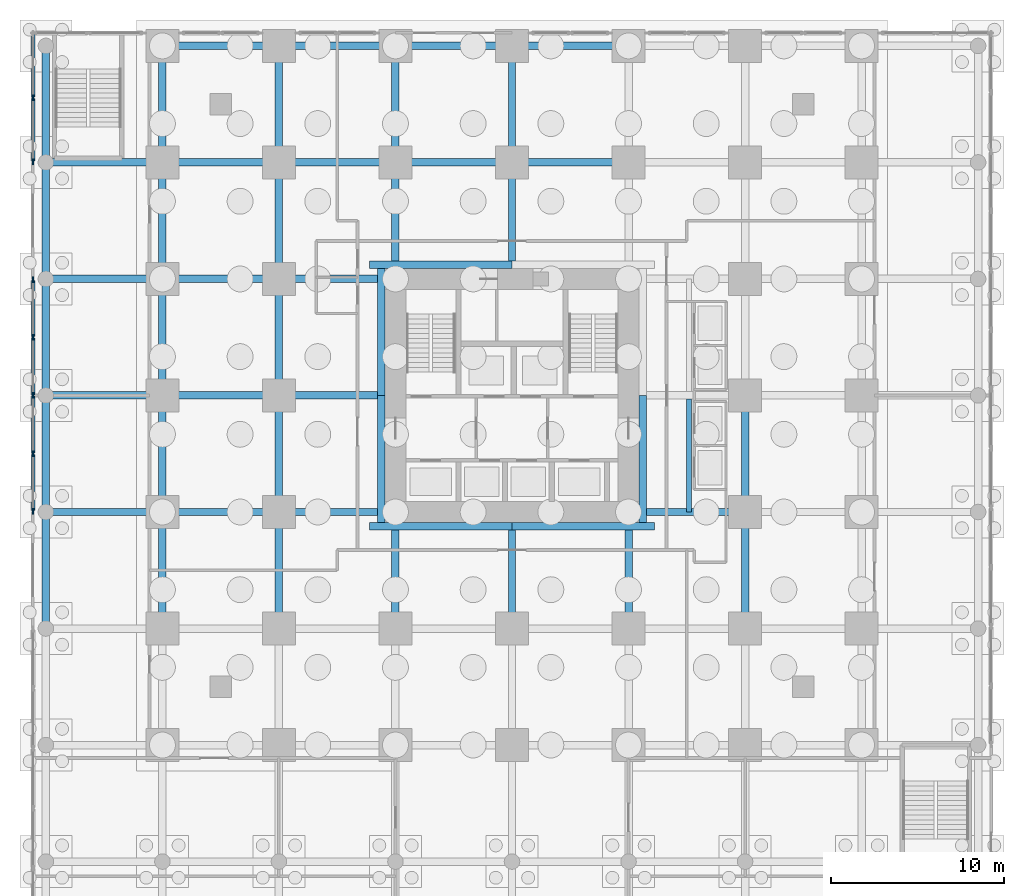
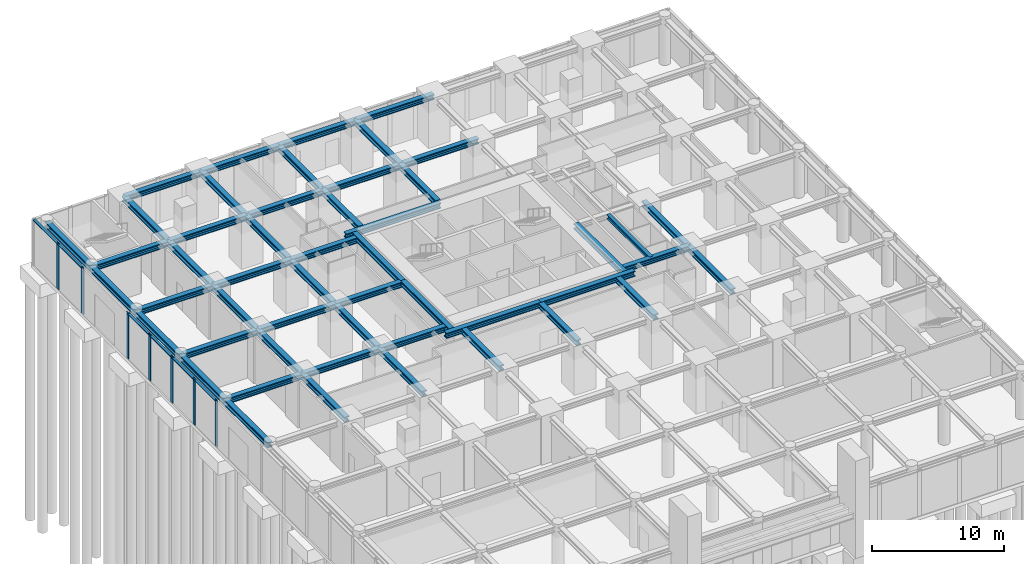
# One storey, part 5 of 14: 50 beams, 13 members, 2 elements without a shape of their own.
"""IFC4 building model written with IfcOpenShell, lengths in metres."""

from ifc_helpers import new_model, si_unit, direction, frame, origin, origin_2d, place, context, subcontext, project, spatial, rectangle, i_section, extrude, material, material_profile, profile_set, type_object, element, aggregate, save


model = new_model("IFC4")

# Units and contexts
model_context = context("Model", 3, precision=1e-05, world=origin(), true_north=direction((0.0, 1.0)))
body_context = subcontext(model_context, "Body", "Model", "MODEL_VIEW")
ifc_project = project(units=[si_unit("LENGTHUNIT", "METRE"), si_unit("AREAUNIT", "SQUARE_METRE"), si_unit("VOLUMEUNIT", "CUBIC_METRE"), si_unit("PLANEANGLEUNIT", "RADIAN"), si_unit("MASSUNIT", "GRAM", prefix="KILO")], contexts=[model_context])

# Site, building, storey
site_placement = place(None, origin())
site = spatial("IfcSite", under=ifc_project, at=site_placement, CompositionType="ELEMENT")
building_placement = place(site_placement, origin())
building = spatial("IfcBuilding", under=site, at=building_placement, Name="Nyansa Garden Tower", CompositionType="ELEMENT")
storey_placement = place(building_placement, origin())
storey = spatial("IfcBuildingStorey", under=building, at=storey_placement, Name="L00", CompositionType="ELEMENT", Elevation=0.0)

# Curtain wall, members
ifc_material_1 = material(Name="Black anodised aluminium, clear double glazing", Category="aluminium")
curtain_wall_type = type_object("IfcCurtainWallType", Name="Podium curtain wall PCW", PredefinedType="USERDEFINED", material=ifc_material_1)
curtain_wall_1_placement = place(storey_placement, origin())
curtain_wall_1 = element("IfcCurtainWall", 1, at=curtain_wall_1_placement, inside=storey, type_object=curtain_wall_type, Name="Podium curtain wall L00 W", ObjectType="STICK CURTAIN WALL", PredefinedType="USERDEFINED")
ifc_material_2 = material(Name="Black anodised aluminium", Category="aluminium")
ifc_material_profile_1 = material_profile(ifc_material_2, rectangle(XDim=0.080078125, YDim=0.35009765625, at=origin_2d()), Name="Mullion 350x80")
ifc_profile_set_1 = profile_set([ifc_material_profile_1], Name="Black anodised aluminium")
member_type_1 = type_object("IfcMemberType", Name="Mullion PCW 350x80", PredefinedType="MULLION", material=ifc_profile_set_1)
member_1_placement = place(storey_placement, frame((-7.5, 26.9599609375, 0.0), z_axis=(0.0, 0.0, 1.0), x_axis=(1.0, 0.0, 0.0)))
member_1 = element("IfcMember", 2, at=member_1_placement, type_object=member_type_1, Name="PCW mullion 1", PredefinedType="MULLION", context=body_context, shape_type="SweptSolid", body=[
    extrude(rectangle(XDim=0.080078125, YDim=0.35009765625, at=origin_2d()), origin(), (0.0, 0.0, 1.0), 4.25),
])
member_2_placement = place(storey_placement, frame((-7.5, 23.625, 0.0), z_axis=(0.0, 0.0, 1.0), x_axis=(1.0, 0.0, 0.0)))
member_2 = element("IfcMember", 3, at=member_2_placement, type_object=member_type_1, Name="PCW mullion 2", PredefinedType="MULLION", context=body_context, shape_type="SweptSolid", body=[
    extrude(rectangle(XDim=0.080078125, YDim=0.35009765625, at=origin_2d()), origin(), (0.0, 0.0, 1.0), 4.25),
])
member_3_placement = place(storey_placement, frame((-7.5, 20.25, 0.0), z_axis=(0.0, 0.0, 1.0), x_axis=(1.0, 0.0, 0.0)))
member_3 = element("IfcMember", 4, at=member_3_placement, type_object=member_type_1, Name="PCW mullion 3", PredefinedType="MULLION", context=body_context, shape_type="SweptSolid", body=[
    extrude(rectangle(XDim=0.080078125, YDim=0.35009765625, at=origin_2d()), origin(), (0.0, 0.0, 1.0), 4.25),
])
member_4_placement = place(storey_placement, frame((-7.5, 16.875, 0.0), z_axis=(0.0, 0.0, 1.0), x_axis=(1.0, 0.0, 0.0)))
member_4 = element("IfcMember", 5, at=member_4_placement, type_object=member_type_1, Name="PCW mullion 4", PredefinedType="MULLION", context=body_context, shape_type="SweptSolid", body=[
    extrude(rectangle(XDim=0.080078125, YDim=0.35009765625, at=origin_2d()), origin(), (0.0, 0.0, 1.0), 4.25),
])
member_5_placement = place(storey_placement, frame((-7.5, 13.5400390625, 0.0), z_axis=(0.0, 0.0, 1.0), x_axis=(1.0, 0.0, 0.0)))
member_5 = element("IfcMember", 6, at=member_5_placement, type_object=member_type_1, Name="PCW mullion 5", PredefinedType="MULLION", context=body_context, shape_type="SweptSolid", body=[
    extrude(rectangle(XDim=0.080078125, YDim=0.35009765625, at=origin_2d()), origin(), (0.0, 0.0, 1.0), 4.25),
])

curtain_wall_2_placement = place(storey_placement, origin())
curtain_wall_2 = element("IfcCurtainWall", 7, at=curtain_wall_2_placement, inside=storey, type_object=curtain_wall_type, Name="Podium curtain wall L00 W", ObjectType="STICK CURTAIN WALL", PredefinedType="USERDEFINED")
member_6_placement = place(storey_placement, frame((-7.5, 37.5, 0.0), z_axis=(0.0, 0.0, 1.0), x_axis=(1.0, 0.0, 0.0)))
member_6 = element("IfcMember", 8, at=member_6_placement, type_object=member_type_1, Name="PCW mullion 2", PredefinedType="MULLION", context=body_context, shape_type="SweptSolid", body=[
    extrude(rectangle(XDim=0.080078125, YDim=0.35009765625, at=origin_2d()), origin(), (0.0, 0.0, 1.0), 4.25),
])
member_7_placement = place(storey_placement, frame((-7.5, 33.7900390625, 0.0), z_axis=(0.0, 0.0, 1.0), x_axis=(1.0, 0.0, 0.0)))
member_7 = element("IfcMember", 9, at=member_7_placement, type_object=member_type_1, Name="PCW mullion 3", PredefinedType="MULLION", context=body_context, shape_type="SweptSolid", body=[
    extrude(rectangle(XDim=0.080078125, YDim=0.35009765625, at=origin_2d()), origin(), (0.0, 0.0, 1.0), 4.25),
])

# Beams
ifc_material_3 = material(Name="Steel S355", Category="steel")
ifc_material_profile_2 = material_profile(ifc_material_3, i_section(OverallWidth=0.431884765625, OverallDepth=0.498046875, WebThickness=0.0556640625, FlangeThickness=0.0888671875, FilletRadius=0.014892578125, at=origin_2d()), Name="HD 400x744")
ifc_profile_set_2 = profile_set([ifc_material_profile_2], Name="Steel S355")
beam_type_1 = type_object("IfcBeamType", Name="Steel beam SBP1-744 HD 400x744", PredefinedType="BEAM", material=ifc_profile_set_2)
for number, where, z_axis, x_axis, name in (
    (10, (-6.75, 13.5, 4.0009765625), (1.0, 0.0, 0.0), (0.0, 1.0, 0.0), "Steel beam 1/F-2/F L01"),
    (11, (-6.75, 20.25, 4.0009765625), (1.0, 0.0, 0.0), (0.0, 1.0, 0.0), "Steel beam 1/G-2/G L01"),
    (12, (-6.75, 27.0, 4.0009765625), (1.0, 0.0, 0.0), (0.0, 1.0, 0.0), "Steel beam 1/H-2/H L01"),
    (13, (-6.75, 33.75, 4.0009765625), (1.0, 0.0, 0.0), (0.0, 1.0, 0.0), "Steel beam 1/J-2/J L01"),
    (14, (0.0, 6.75, 4.0009765625), (0.0, 1.0, 0.0), (-1.0, 0.0, 0.0), "Steel beam 2/E-2/F L01"),
    (15, (0.0, 13.5, 4.0009765625), (0.0, 1.0, 0.0), (-1.0, 0.0, 0.0), "Steel beam 2/F-2/G L01"),
    (16, (0.0, 13.5, 4.0009765625), (1.0, 0.0, 0.0), (0.0, 1.0, 0.0), "Steel beam 2/F-3/F L01"),
    (17, (0.0, 20.25, 4.0009765625), (0.0, 1.0, 0.0), (-1.0, 0.0, 0.0), "Steel beam 2/G-2/H L01"),
    (18, (0.0, 20.25, 4.0009765625), (1.0, 0.0, 0.0), (0.0, 1.0, 0.0), "Steel beam 2/G-3/G L01"),
    (19, (0.0, 27.0, 4.0009765625), (0.0, 1.0, 0.0), (-1.0, 0.0, 0.0), "Steel beam 2/H-2/J L01"),
    (20, (0.0, 27.0, 4.0009765625), (1.0, 0.0, 0.0), (0.0, 1.0, 0.0), "Steel beam 2/H-3/H L01"),
    (21, (0.0, 33.75, 4.0009765625), (0.0, 1.0, 0.0), (-1.0, 0.0, 0.0), "Steel beam 2/J-2/K L01"),
    (22, (0.0, 33.75, 4.0009765625), (1.0, 0.0, 0.0), (0.0, 1.0, 0.0), "Steel beam 2/J-3/J L01"),
    (23, (6.75, 6.75, 4.0009765625), (0.0, 1.0, 0.0), (-1.0, 0.0, 0.0), "Steel beam 3/E-3/F L01"),
    (24, (6.75, 13.5, 4.0009765625), (0.0, 1.0, 0.0), (-1.0, 0.0, 0.0), "Steel beam 3/F-3/G L01"),
):
    element("IfcBeam", number, at=place(storey_placement, frame(where, z_axis=z_axis, x_axis=x_axis)), inside=storey, type_object=beam_type_1, Name=name, PredefinedType="BEAM", context=body_context, shape_type="SweptSolid", body=[
        extrude(i_section(OverallWidth=0.431884765625, OverallDepth=0.498046875, WebThickness=0.0556640625, FlangeThickness=0.0888671875, FilletRadius=0.014892578125, at=origin_2d()), origin(), (0.0, 0.0, 1.0), 6.75),
    ])
beam_1_placement = place(storey_placement, frame((6.75, 13.5, 4.0009765625), z_axis=(1.0, 0.0, 0.0), x_axis=(0.0, 1.0, 0.0)))
element("IfcBeam", 25, at=beam_1_placement, inside=storey, type_object=beam_type_1, Name="Steel beam 3/F-12.450/F L01", PredefinedType="BEAM", context=body_context, shape_type="SweptSolid", body=[
    extrude(i_section(OverallWidth=0.431884765625, OverallDepth=0.498046875, WebThickness=0.0556640625, FlangeThickness=0.0888671875, FilletRadius=0.014892578125, at=origin_2d()), origin(), (0.0, 0.0, 1.0), 5.699951171875),
])
beam_2_placement = place(storey_placement, frame((6.75, 20.25, 4.0009765625), z_axis=(0.0, 1.0, 0.0), x_axis=(-1.0, 0.0, 0.0)))
element("IfcBeam", 26, at=beam_2_placement, inside=storey, type_object=beam_type_1, Name="Steel beam 3/G-3/H L01", PredefinedType="BEAM", context=body_context, shape_type="SweptSolid", body=[
    extrude(i_section(OverallWidth=0.431884765625, OverallDepth=0.498046875, WebThickness=0.0556640625, FlangeThickness=0.0888671875, FilletRadius=0.014892578125, at=origin_2d()), origin(), (0.0, 0.0, 1.0), 6.75),
])
beam_3_placement = place(storey_placement, frame((6.75, 20.25, 4.0009765625), z_axis=(1.0, 0.0, 0.0), x_axis=(0.0, 1.0, 0.0)))
element("IfcBeam", 27, at=beam_3_placement, inside=storey, type_object=beam_type_1, Name="Steel beam 3/G-12.450/G L01", PredefinedType="BEAM", context=body_context, shape_type="SweptSolid", body=[
    extrude(i_section(OverallWidth=0.431884765625, OverallDepth=0.498046875, WebThickness=0.0556640625, FlangeThickness=0.0888671875, FilletRadius=0.014892578125, at=origin_2d()), origin(), (0.0, 0.0, 1.0), 5.699951171875),
])
beam_4_placement = place(storey_placement, frame((6.75, 27.0, 4.0009765625), z_axis=(0.0, 1.0, 0.0), x_axis=(-1.0, 0.0, 0.0)))
element("IfcBeam", 28, at=beam_4_placement, inside=storey, type_object=beam_type_1, Name="Steel beam 3/H-3/J L01", PredefinedType="BEAM", context=body_context, shape_type="SweptSolid", body=[
    extrude(i_section(OverallWidth=0.431884765625, OverallDepth=0.498046875, WebThickness=0.0556640625, FlangeThickness=0.0888671875, FilletRadius=0.014892578125, at=origin_2d()), origin(), (0.0, 0.0, 1.0), 6.75),
])
beam_5_placement = place(storey_placement, frame((6.75, 27.0, 4.0009765625), z_axis=(1.0, 0.0, 0.0), x_axis=(0.0, 1.0, 0.0)))
element("IfcBeam", 29, at=beam_5_placement, inside=storey, type_object=beam_type_1, Name="Steel beam 3/H-12.450/H L01", PredefinedType="BEAM", context=body_context, shape_type="SweptSolid", body=[
    extrude(i_section(OverallWidth=0.431884765625, OverallDepth=0.498046875, WebThickness=0.0556640625, FlangeThickness=0.0888671875, FilletRadius=0.014892578125, at=origin_2d()), origin(), (0.0, 0.0, 1.0), 5.699951171875),
])
for number, where, z_axis, x_axis, name in (
    (30, (6.75, 33.75, 4.0009765625), (0.0, 1.0, 0.0), (-1.0, 0.0, 0.0), "Steel beam 3/J-3/K L01"),
    (31, (6.75, 33.75, 4.0009765625), (1.0, 0.0, 0.0), (0.0, 1.0, 0.0), "Steel beam 3/J-4/J L01"),
):
    element("IfcBeam", number, at=place(storey_placement, frame(where, z_axis=z_axis, x_axis=x_axis)), inside=storey, type_object=beam_type_1, Name=name, PredefinedType="BEAM", context=body_context, shape_type="SweptSolid", body=[
        extrude(i_section(OverallWidth=0.431884765625, OverallDepth=0.498046875, WebThickness=0.0556640625, FlangeThickness=0.0888671875, FilletRadius=0.014892578125, at=origin_2d()), origin(), (0.0, 0.0, 1.0), 6.75),
    ])
for number, where, z_axis, x_axis, name in (
    (32, (13.5, 6.75, 4.0009765625), (0.0, 1.0, 0.0), (-1.0, 0.0, 0.0), "Steel beam 4/E-4/12.450 L01"),
    (33, (13.5, 28.050048828125, 4.0009765625), (0.0, 1.0, 0.0), (-1.0, 0.0, 0.0), "Steel beam 4/28.050-4/J L01"),
):
    element("IfcBeam", number, at=place(storey_placement, frame(where, z_axis=z_axis, x_axis=x_axis)), inside=storey, type_object=beam_type_1, Name=name, PredefinedType="BEAM", context=body_context, shape_type="SweptSolid", body=[
        extrude(i_section(OverallWidth=0.431884765625, OverallDepth=0.498046875, WebThickness=0.0556640625, FlangeThickness=0.0888671875, FilletRadius=0.014892578125, at=origin_2d()), origin(), (0.0, 0.0, 1.0), 5.699951171875),
    ])
for number, where, z_axis, x_axis, name in (
    (34, (13.5, 33.75, 4.0009765625), (0.0, 1.0, 0.0), (-1.0, 0.0, 0.0), "Steel beam 4/J-4/K L01"),
    (35, (13.5, 33.75, 4.0009765625), (1.0, 0.0, 0.0), (0.0, 1.0, 0.0), "Steel beam 4/J-5/J L01"),
):
    element("IfcBeam", number, at=place(storey_placement, frame(where, z_axis=z_axis, x_axis=x_axis)), inside=storey, type_object=beam_type_1, Name=name, PredefinedType="BEAM", context=body_context, shape_type="SweptSolid", body=[
        extrude(i_section(OverallWidth=0.431884765625, OverallDepth=0.498046875, WebThickness=0.0556640625, FlangeThickness=0.0888671875, FilletRadius=0.014892578125, at=origin_2d()), origin(), (0.0, 0.0, 1.0), 6.75),
    ])
for number, where, z_axis, x_axis, name in (
    (36, (20.25, 6.75, 4.0009765625), (0.0, 1.0, 0.0), (-1.0, 0.0, 0.0), "Steel beam 5/E-5/12.450 L01"),
    (37, (20.25, 28.050048828125, 4.0009765625), (0.0, 1.0, 0.0), (-1.0, 0.0, 0.0), "Steel beam 5/28.050-5/J L01"),
):
    element("IfcBeam", number, at=place(storey_placement, frame(where, z_axis=z_axis, x_axis=x_axis)), inside=storey, type_object=beam_type_1, Name=name, PredefinedType="BEAM", context=body_context, shape_type="SweptSolid", body=[
        extrude(i_section(OverallWidth=0.431884765625, OverallDepth=0.498046875, WebThickness=0.0556640625, FlangeThickness=0.0888671875, FilletRadius=0.014892578125, at=origin_2d()), origin(), (0.0, 0.0, 1.0), 5.699951171875),
    ])
for number, where, z_axis, x_axis, name in (
    (38, (20.25, 33.75, 4.0009765625), (0.0, 1.0, 0.0), (-1.0, 0.0, 0.0), "Steel beam 5/J-5/K L01"),
    (39, (20.25, 33.75, 4.0009765625), (1.0, 0.0, 0.0), (0.0, 1.0, 0.0), "Steel beam 5/J-6/J L01"),
):
    element("IfcBeam", number, at=place(storey_placement, frame(where, z_axis=z_axis, x_axis=x_axis)), inside=storey, type_object=beam_type_1, Name=name, PredefinedType="BEAM", context=body_context, shape_type="SweptSolid", body=[
        extrude(i_section(OverallWidth=0.431884765625, OverallDepth=0.498046875, WebThickness=0.0556640625, FlangeThickness=0.0888671875, FilletRadius=0.014892578125, at=origin_2d()), origin(), (0.0, 0.0, 1.0), 6.75),
    ])
for number, where, z_axis, x_axis, name in (
    (40, (27.0, 6.75, 4.0009765625), (0.0, 1.0, 0.0), (-1.0, 0.0, 0.0), "Steel beam 6/E-6/12.450 L01"),
    (41, (28.050048828125, 13.5, 4.0009765625), (1.0, 0.0, 0.0), (0.0, 1.0, 0.0), "Steel beam 28.050/F-7/F L01"),
):
    element("IfcBeam", number, at=place(storey_placement, frame(where, z_axis=z_axis, x_axis=x_axis)), inside=storey, type_object=beam_type_1, Name=name, PredefinedType="BEAM", context=body_context, shape_type="SweptSolid", body=[
        extrude(i_section(OverallWidth=0.431884765625, OverallDepth=0.498046875, WebThickness=0.0556640625, FlangeThickness=0.0888671875, FilletRadius=0.014892578125, at=origin_2d()), origin(), (0.0, 0.0, 1.0), 5.699951171875),
    ])
for number, where, z_axis, x_axis, name in (
    (42, (33.75, 6.75, 4.0009765625), (0.0, 1.0, 0.0), (-1.0, 0.0, 0.0), "Steel beam 7/E-7/F L01"),
    (43, (33.75, 13.5, 4.0009765625), (0.0, 1.0, 0.0), (-1.0, 0.0, 0.0), "Steel beam 7/F-7/G L01"),
):
    element("IfcBeam", number, at=place(storey_placement, frame(where, z_axis=z_axis, x_axis=x_axis)), inside=storey, type_object=beam_type_1, Name=name, PredefinedType="BEAM", context=body_context, shape_type="SweptSolid", body=[
        extrude(i_section(OverallWidth=0.431884765625, OverallDepth=0.498046875, WebThickness=0.0556640625, FlangeThickness=0.0888671875, FilletRadius=0.014892578125, at=origin_2d()), origin(), (0.0, 0.0, 1.0), 6.75),
    ])
ifc_material_4 = material(Name="Steel S355", Category="steel")
ifc_material_profile_3 = material_profile(ifc_material_4, i_section(OverallWidth=0.431884765625, OverallDepth=0.498046875, WebThickness=0.0556640625, FlangeThickness=0.0888671875, FilletRadius=0.014892578125, at=origin_2d()), Name="HD 400x744")
ifc_profile_set_3 = profile_set([ifc_material_profile_3], Name="Steel S355")
beam_type_2 = type_object("IfcBeamType", Name="Steel beam SEBP-744 HD 400x744", PredefinedType="BEAM", material=ifc_profile_set_3)
for number, where, z_axis, x_axis, name in (
    (44, (-6.75, 6.75, 4.0009765625), (0.0, 1.0, 0.0), (-1.0, 0.0, 0.0), "Steel edge beam 1/E-1/F L01"),
    (45, (-6.75, 13.5, 4.0009765625), (0.0, 1.0, 0.0), (-1.0, 0.0, 0.0), "Steel edge beam 1/F-1/G L01"),
    (46, (-6.75, 20.25, 4.0009765625), (0.0, 1.0, 0.0), (-1.0, 0.0, 0.0), "Steel edge beam 1/G-1/H L01"),
    (47, (-6.75, 27.0, 4.0009765625), (0.0, 1.0, 0.0), (-1.0, 0.0, 0.0), "Steel edge beam 1/H-1/J L01"),
    (48, (-6.75, 33.75, 4.0009765625), (0.0, 1.0, 0.0), (-1.0, 0.0, 0.0), "Steel edge beam 1/J-1/K L01"),
    (49, (0.0, 40.5, 4.0009765625), (1.0, 0.0, 0.0), (0.0, 1.0, 0.0), "Steel edge beam 2/K-3/K L01"),
    (50, (6.75, 40.5, 4.0009765625), (1.0, 0.0, 0.0), (0.0, 1.0, 0.0), "Steel edge beam 3/K-4/K L01"),
    (51, (13.5, 40.5, 4.0009765625), (1.0, 0.0, 0.0), (0.0, 1.0, 0.0), "Steel edge beam 4/K-5/K L01"),
    (52, (20.25, 40.5, 4.0009765625), (1.0, 0.0, 0.0), (0.0, 1.0, 0.0), "Steel edge beam 5/K-6/K L01"),
):
    element("IfcBeam", number, at=place(storey_placement, frame(where, z_axis=z_axis, x_axis=x_axis)), inside=storey, type_object=beam_type_2, Name=name, PredefinedType="BEAM", context=body_context, shape_type="SweptSolid", body=[
        extrude(i_section(OverallWidth=0.431884765625, OverallDepth=0.498046875, WebThickness=0.0556640625, FlangeThickness=0.0888671875, FilletRadius=0.014892578125, at=origin_2d()), origin(), (0.0, 0.0, 1.0), 6.75),
    ])
ifc_material_5 = material(Name="Steel S355", Category="steel")
ifc_material_profile_4 = material_profile(ifc_material_5, i_section(OverallWidth=0.431884765625, OverallDepth=0.498046875, WebThickness=0.0556640625, FlangeThickness=0.0888671875, FilletRadius=0.014892578125, at=origin_2d()), Name="HD 400x744")
ifc_profile_set_4 = profile_set([ifc_material_profile_4], Name="Steel S355")
beam_type_3 = type_object("IfcBeamType", Name="Steel beam SLB1-744 HD 400x744", PredefinedType="BEAM", material=ifc_profile_set_4)
for number, where, z_axis, x_axis, name in (
    (53, (12.0, 12.68408203125, 4.0009765625), (1.0, 0.0, 0.0), (0.0, 1.0, 0.0), "Steel core ledger beam S.1 L01"),
    (54, (20.25, 12.68408203125, 4.0009765625), (1.0, 0.0, 0.0), (0.0, 1.0, 0.0), "Steel core ledger beam S.2 L01"),
):
    element("IfcBeam", number, at=place(storey_placement, frame(where, z_axis=z_axis, x_axis=x_axis)), inside=storey, type_object=beam_type_3, Name=name, PredefinedType="BEAM", context=body_context, shape_type="SweptSolid", body=[
        extrude(i_section(OverallWidth=0.431884765625, OverallDepth=0.498046875, WebThickness=0.0556640625, FlangeThickness=0.0888671875, FilletRadius=0.014892578125, at=origin_2d()), origin(), (0.0, 0.0, 1.0), 8.25),
    ])
beam_6_placement = place(storey_placement, frame((27.81591796875, 12.89990234375, 4.0009765625), z_axis=(0.0, 1.0, 0.0), x_axis=(-1.0, 0.0, 0.0)))
element("IfcBeam", 55, at=beam_6_placement, inside=storey, type_object=beam_type_3, Name="Steel core ledger beam E.1 L01", PredefinedType="BEAM", context=body_context, shape_type="SweptSolid", body=[
    extrude(i_section(OverallWidth=0.431884765625, OverallDepth=0.498046875, WebThickness=0.0556640625, FlangeThickness=0.0888671875, FilletRadius=0.014892578125, at=origin_2d()), origin(), (0.0, 0.0, 1.0), 7.35009765625),
])
beam_7_placement = place(storey_placement, frame((20.25, 27.81591796875, 4.0009765625), z_axis=(-1.0, 0.0, 0.0), x_axis=(0.0, -1.0, 0.0)))
element("IfcBeam", 56, at=beam_7_placement, inside=storey, type_object=beam_type_3, Name="Steel core ledger beam N.2 L01", PredefinedType="BEAM", context=body_context, shape_type="SweptSolid", body=[
    extrude(i_section(OverallWidth=0.431884765625, OverallDepth=0.498046875, WebThickness=0.0556640625, FlangeThickness=0.0888671875, FilletRadius=0.014892578125, at=origin_2d()), origin(), (0.0, 0.0, 1.0), 8.25),
])
for number, where, z_axis, x_axis, name in (
    (57, (12.68408203125, 27.60009765625, 4.0009765625), (0.0, -1.0, 0.0), (1.0, 0.0, 0.0), "Steel core ledger beam W.1 L01"),
    (58, (12.68408203125, 20.25, 4.0009765625), (0.0, -1.0, 0.0), (1.0, 0.0, 0.0), "Steel core ledger beam W.2 L01"),
):
    element("IfcBeam", number, at=place(storey_placement, frame(where, z_axis=z_axis, x_axis=x_axis)), inside=storey, type_object=beam_type_3, Name=name, PredefinedType="BEAM", context=body_context, shape_type="SweptSolid", body=[
        extrude(i_section(OverallWidth=0.431884765625, OverallDepth=0.498046875, WebThickness=0.0556640625, FlangeThickness=0.0888671875, FilletRadius=0.014892578125, at=origin_2d()), origin(), (0.0, 0.0, 1.0), 7.35009765625),
    ])

# Member
ifc_material_6 = material(Name="Black anodised aluminium", Category="aluminium")
ifc_material_profile_5 = material_profile(ifc_material_6, rectangle(XDim=0.219970703125, YDim=0.080078125, at=origin_2d()), Name="Transom 220x80")
ifc_profile_set_5 = profile_set([ifc_material_profile_5], Name="Black anodised aluminium")
member_type_2 = type_object("IfcMemberType", Name="Transom PCW 220x80", PredefinedType="USERDEFINED", material=ifc_profile_set_5)
member_8_placement = place(storey_placement, frame((-7.5, 26.919921875, 4.2099609375), z_axis=(0.0, -1.0, 0.0), x_axis=(1.0, 0.0, 0.0)))
member_8 = element("IfcMember", 59, at=member_8_placement, type_object=member_type_2, Name="PCW transom 1", ObjectType="TRANSOM", PredefinedType="USERDEFINED", context=body_context, shape_type="SweptSolid", body=[
    extrude(rectangle(XDim=0.219970703125, YDim=0.080078125, at=origin_2d()), origin(), (0.0, 0.0, 1.0), 3.2548828125),
])

member_9_placement = place(storey_placement, frame((-7.5, 23.5849609375, 4.2099609375), z_axis=(0.0, -1.0, 0.0), x_axis=(1.0, 0.0, 0.0)))
member_9 = element("IfcMember", 60, at=member_9_placement, type_object=member_type_2, Name="PCW transom 2", ObjectType="TRANSOM", PredefinedType="USERDEFINED", context=body_context, shape_type="SweptSolid", body=[
    extrude(rectangle(XDim=0.219970703125, YDim=0.080078125, at=origin_2d()), origin(), (0.0, 0.0, 1.0), 3.294921875),
])

member_10_placement = place(storey_placement, frame((-7.5, 20.2099609375, 4.2099609375), z_axis=(0.0, -1.0, 0.0), x_axis=(1.0, 0.0, 0.0)))
member_10 = element("IfcMember", 61, at=member_10_placement, type_object=member_type_2, Name="PCW transom 3", ObjectType="TRANSOM", PredefinedType="USERDEFINED", context=body_context, shape_type="SweptSolid", body=[
    extrude(rectangle(XDim=0.219970703125, YDim=0.080078125, at=origin_2d()), origin(), (0.0, 0.0, 1.0), 3.294921875),
])

member_11_placement = place(storey_placement, frame((-7.5, 16.8349609375, 4.2099609375), z_axis=(0.0, -1.0, 0.0), x_axis=(1.0, 0.0, 0.0)))
member_11 = element("IfcMember", 62, at=member_11_placement, type_object=member_type_2, Name="PCW transom 4", ObjectType="TRANSOM", PredefinedType="USERDEFINED", context=body_context, shape_type="SweptSolid", body=[
    extrude(rectangle(XDim=0.219970703125, YDim=0.080078125, at=origin_2d()), origin(), (0.0, 0.0, 1.0), 3.2548828125),
])

aggregate(curtain_wall_1, [member_1, member_2, member_3, member_4, member_5, member_8, member_9, member_10, member_11])

member_12_placement = place(storey_placement, frame((-7.5, 41.169921875, 4.2099609375), z_axis=(0.0, -1.0, 0.0), x_axis=(1.0, 0.0, 0.0)))
member_12 = element("IfcMember", 63, at=member_12_placement, type_object=member_type_2, Name="PCW transom 1", ObjectType="TRANSOM", PredefinedType="USERDEFINED", context=body_context, shape_type="SweptSolid", body=[
    extrude(rectangle(XDim=0.219970703125, YDim=0.080078125, at=origin_2d()), origin(), (0.0, 0.0, 1.0), 3.6298828125),
])

member_13_placement = place(storey_placement, frame((-7.5, 37.4599609375, 4.2099609375), z_axis=(0.0, -1.0, 0.0), x_axis=(1.0, 0.0, 0.0)))
member_13 = element("IfcMember", 64, at=member_13_placement, type_object=member_type_2, Name="PCW transom 2", ObjectType="TRANSOM", PredefinedType="USERDEFINED", context=body_context, shape_type="SweptSolid", body=[
    extrude(rectangle(XDim=0.219970703125, YDim=0.080078125, at=origin_2d()), origin(), (0.0, 0.0, 1.0), 3.6298828125),
])

aggregate(curtain_wall_2, [member_6, member_7, member_12, member_13])

# Beam
ifc_material_7 = material(Name="Steel S355", Category="steel")
ifc_material_profile_6 = material_profile(ifc_material_7, i_section(OverallWidth=0.300048828125, OverallDepth=0.39990234375, WebThickness=0.013427734375, FlangeThickness=0.02392578125, FilletRadius=0.027099609375, at=origin_2d()), Name="HE 400 B")
ifc_profile_set_6 = profile_set([ifc_material_profile_6], Name="Steel S355")
beam_type_4 = type_object("IfcBeamType", Name="Trimmer beam TR1 HE 400 B", PredefinedType="BEAM", material=ifc_profile_set_6)
beam_8_placement = place(storey_placement, frame((30.5, 13.5, 4.050048828125), z_axis=(0.0, 1.0, 0.0), x_axis=(-1.0, 0.0, 0.0)))
element("IfcBeam", 65, at=beam_8_placement, inside=storey, type_object=beam_type_4, Name="Trimmer beam 1 L01", PredefinedType="BEAM", context=body_context, shape_type="SweptSolid", body=[
    extrude(i_section(OverallWidth=0.300048828125, OverallDepth=0.39990234375, WebThickness=0.013427734375, FlangeThickness=0.02392578125, FilletRadius=0.027099609375, at=origin_2d()), origin(), (0.0, 0.0, 1.0), 6.533935546875),
])

save(model, "model.ifc")
